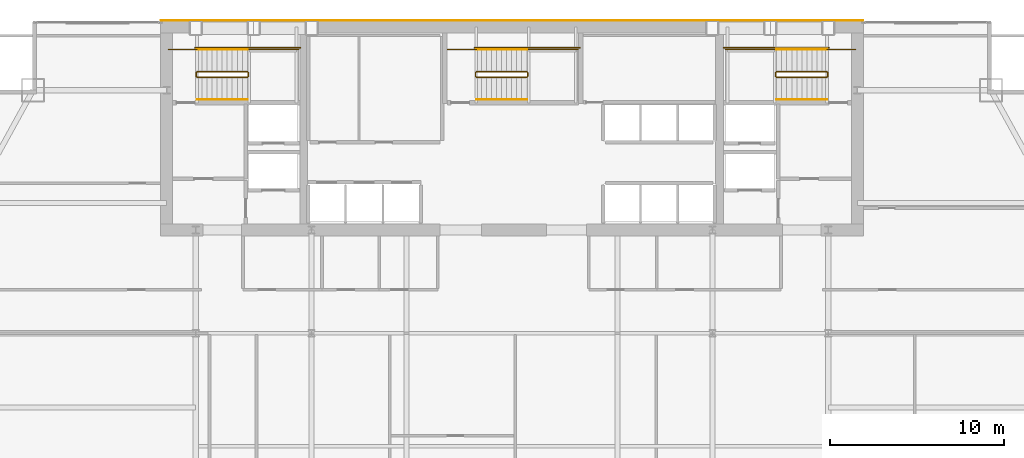
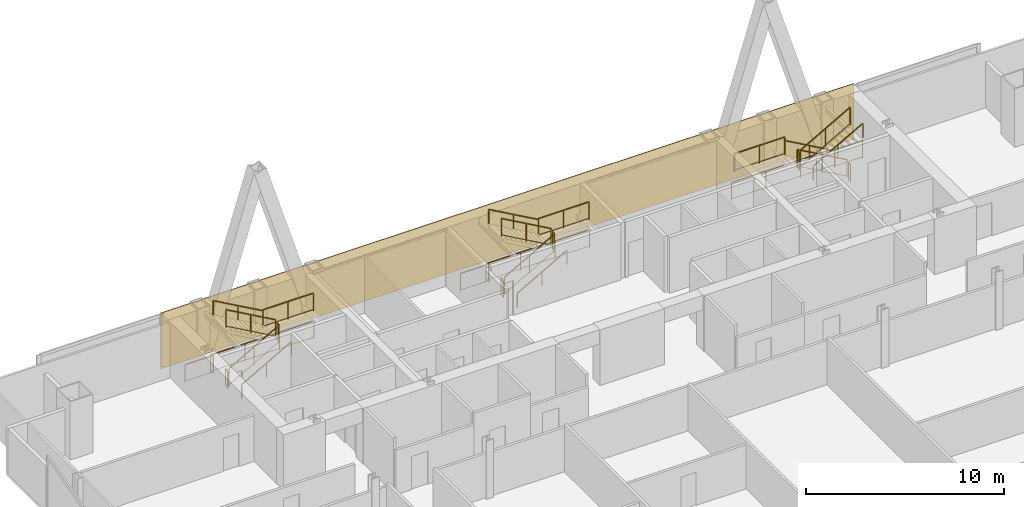
# One storey, part 30 of 30: 27 railings, 1 covering.
"""IFC4 building model written with IfcOpenShell, lengths in metres."""

from ifc_helpers import new_model, si_unit, direction, frame, origin, origin_2d, place, context, subcontext, project, spatial, polyline, rectangle, outline, extrude, material, layer, layer_set, type_object, element, save


model = new_model("IFC4")

# Units and contexts
model_context = context("Model", 3, precision=1e-05, world=origin(), true_north=direction((0.0, 1.0)))
body_context = subcontext(model_context, "Body", "Model", "MODEL_VIEW")
ifc_project = project(units=[si_unit("LENGTHUNIT", "METRE"), si_unit("AREAUNIT", "SQUARE_METRE"), si_unit("VOLUMEUNIT", "CUBIC_METRE"), si_unit("PLANEANGLEUNIT", "RADIAN"), si_unit("MASSUNIT", "GRAM", prefix="KILO")], contexts=[model_context])

# Site, building, storey
site_placement = place(None, origin())
site = spatial("IfcSite", under=ifc_project, at=site_placement, CompositionType="ELEMENT")
building_placement = place(site_placement, origin())
building = spatial("IfcBuilding", under=site, at=building_placement, Name="Khoronbel Lancet Exchange", CompositionType="ELEMENT")
storey_placement = place(building_placement, frame((0.0, 0.0, 147.0)))
storey = spatial("IfcBuildingStorey", under=building, at=storey_placement, Name="L36", CompositionType="ELEMENT", Elevation=147.0)

# Covering
ifc_material_1 = material(Name="Honed Egyptian Limestone & Bronze Rainscreen", Category="masonry")
ifc_layer = layer(ifc_material_1, 0.050048828125, Name="Honed Egyptian Limestone & Bronze Rainscreen")
ifc_layer_set = layer_set([ifc_layer], Name="Honed Egyptian Limestone & Bronze Rainscreen")
covering_type = type_object("IfcCoveringType", Name="COV-CLAD1", PredefinedType="CLADDING", material=ifc_layer_set)
covering_placement = place(storey_placement, origin())
element("IfcCovering", 1, at=covering_placement, inside=storey, type_object=covering_type, Name="Level L36 north rear-core stone and bronze rainscreen cladding", PredefinedType="CLADDING", context=body_context, shape_type="SweptSolid", body=[
    extrude(outline(polyline([(16.199951171875, 53.699951171875), (56.699951171875, 53.699951171875), (56.699951171875, 53.75), (16.199951171875, 53.75), (16.199951171875, 53.699951171875)])), origin(), (0.0, 0.0, 1.0), 3.43994140625),
])

# Railings
ifc_material_2 = material(Name="Painted Steel Balustrade", Category="steel")
railing_type_1 = type_object("IfcRailingType", Name="RL-STG110", PredefinedType="GUARDRAIL", material=ifc_material_2)
railing_1_placement = place(storey_placement, frame((18.300048828125, 50.449951171875, 0.16357421875)))
element("IfcRailing", 2, at=railing_1_placement, inside=storey, type_object=railing_type_1, Name="L36 ST1 stair guard 1", PredefinedType="GUARDRAIL", context=body_context, shape_type="SweptSolid", body=[
    extrude(rectangle(XDim=0.048095703125, YDim=0.048095703125, at=origin_2d()), frame((0.0, 0.0, 1.09619140625), z_axis=(0.870897200241, 0.0, 0.491465224214), x_axis=(0.0, 1.0, 0.0)), (0.0, 0.0, 1.0), 3.329833984375),
    extrude(rectangle(XDim=0.02392578125, YDim=0.02392578125, at=origin_2d()), frame((0.0, 0.0, 0.080078125), z_axis=(0.870897200241, 0.0, 0.491465224214), x_axis=(0.0, 1.0, 0.0)), (0.0, 0.0, 1.0), 3.329833984375),
    extrude(rectangle(XDim=0.0419921875, YDim=0.0419921875, at=origin_2d()), origin(), (0.0, 0.0, 1.0), 1.072021484375),
    extrude(rectangle(XDim=0.0419921875, YDim=0.0419921875, at=origin_2d()), frame((1.449951171875, 0.0, 0.818359375)), (0.0, 0.0, 1.0), 1.072021484375),
    extrude(rectangle(XDim=0.0419921875, YDim=0.0419921875, at=origin_2d()), frame((2.89990234375, 0.0, 1.636474609375)), (0.0, 0.0, 1.0), 1.072021484375),
])
railing_2_placement = place(storey_placement, frame((21.25, 50.5, 1.800048828125)))
element("IfcRailing", 3, at=railing_2_placement, inside=storey, type_object=railing_type_1, Name="L36 ST1 stair guard 2", PredefinedType="GUARDRAIL", context=body_context, shape_type="SweptSolid", body=[
    extrude(rectangle(XDim=0.048095703125, YDim=0.048095703125, at=origin_2d()), frame((0.0, 0.0, 1.09619140625), z_axis=(0.0, 1.0, 0.0), x_axis=(-1.0, 0.0, 0.0)), (0.0, 0.0, 1.0), 0.219970703125),
    extrude(rectangle(XDim=0.02392578125, YDim=0.02392578125, at=origin_2d()), frame((0.0, 0.0, 0.080078125), z_axis=(0.0, 1.0, 0.0), x_axis=(-1.0, 0.0, 0.0)), (0.0, 0.0, 1.0), 0.219970703125),
    extrude(rectangle(XDim=0.0419921875, YDim=0.0419921875, at=origin_2d()), origin(), (0.0, 0.0, 1.0), 1.072021484375),
    extrude(rectangle(XDim=0.0419921875, YDim=0.0419921875, at=origin_2d()), frame((0.0, 0.219970703125, 0.0)), (0.0, 0.0, 1.0), 1.072021484375),
])
railing_3_placement = place(storey_placement, frame((21.199951171875, 52.050048828125, 1.800048828125)))
element("IfcRailing", 4, at=railing_3_placement, inside=storey, type_object=railing_type_1, Name="L36 ST1 stair guard 3", PredefinedType="GUARDRAIL", context=body_context, shape_type="SweptSolid", body=[
    extrude(rectangle(XDim=0.048095703125, YDim=0.048095703125, at=origin_2d()), frame((0.0, 0.0, 1.09619140625), z_axis=(1.0, 0.0, 0.0), x_axis=(0.0, 1.0, 0.0)), (0.0, 0.0, 1.0), 2.949951171875),
    extrude(rectangle(XDim=0.02392578125, YDim=0.02392578125, at=origin_2d()), frame((0.0, 0.0, 0.080078125), z_axis=(1.0, 0.0, 0.0), x_axis=(0.0, 1.0, 0.0)), (0.0, 0.0, 1.0), 2.949951171875),
    extrude(rectangle(XDim=0.0419921875, YDim=0.0419921875, at=origin_2d()), origin(), (0.0, 0.0, 1.0), 1.072021484375),
    extrude(rectangle(XDim=0.0419921875, YDim=0.0419921875, at=origin_2d()), frame((1.47509765625, 0.0, 0.0)), (0.0, 0.0, 1.0), 1.072021484375),
    extrude(rectangle(XDim=0.0419921875, YDim=0.0419921875, at=origin_2d()), frame((2.949951171875, 0.0, 0.0)), (0.0, 0.0, 1.0), 1.072021484375),
])
railing_4_placement = place(storey_placement, frame((21.199951171875, 50.77001953125, 1.963623046875)))
element("IfcRailing", 5, at=railing_4_placement, inside=storey, type_object=railing_type_1, Name="L36 ST1 stair guard 4", PredefinedType="GUARDRAIL", context=body_context, shape_type="SweptSolid", body=[
    extrude(rectangle(XDim=0.048095703125, YDim=0.048095703125, at=origin_2d()), frame((0.0, 0.0, 1.09619140625), z_axis=(-0.870897200241, 0.0, 0.491465224214), x_axis=(0.0, -1.0, 0.0)), (0.0, 0.0, 1.0), 3.329833984375),
    extrude(rectangle(XDim=0.02392578125, YDim=0.02392578125, at=origin_2d()), frame((0.0, 0.0, 0.080078125), z_axis=(-0.870897200241, 0.0, 0.491465224214), x_axis=(0.0, -1.0, 0.0)), (0.0, 0.0, 1.0), 3.329833984375),
    extrude(rectangle(XDim=0.0419921875, YDim=0.0419921875, at=origin_2d()), origin(), (0.0, 0.0, 1.0), 1.072021484375),
    extrude(rectangle(XDim=0.0419921875, YDim=0.0419921875, at=origin_2d()), frame((-1.449951171875, 0.0, 0.818359375)), (0.0, 0.0, 1.0), 1.072021484375),
    extrude(rectangle(XDim=0.0419921875, YDim=0.0419921875, at=origin_2d()), frame((-2.89990234375, 0.0, 1.636474609375)), (0.0, 0.0, 1.0), 1.072021484375),
])
railing_5_placement = place(storey_placement, frame((18.25, 50.5, 0.0)))
element("IfcRailing", 6, at=railing_5_placement, inside=storey, type_object=railing_type_1, Name="L36 ST1 stair guard 5", PredefinedType="GUARDRAIL", context=body_context, shape_type="SweptSolid", body=[
    extrude(rectangle(XDim=0.048095703125, YDim=0.048095703125, at=origin_2d()), frame((0.0, 0.0, 1.09619140625), z_axis=(0.0, 1.0, 0.0), x_axis=(-1.0, 0.0, 0.0)), (0.0, 0.0, 1.0), 0.219970703125),
    extrude(rectangle(XDim=0.02392578125, YDim=0.02392578125, at=origin_2d()), frame((0.0, 0.0, 0.080078125), z_axis=(0.0, 1.0, 0.0), x_axis=(-1.0, 0.0, 0.0)), (0.0, 0.0, 1.0), 0.219970703125),
    extrude(rectangle(XDim=0.0419921875, YDim=0.0419921875, at=origin_2d()), origin(), (0.0, 0.0, 1.0), 1.072021484375),
    extrude(rectangle(XDim=0.0419921875, YDim=0.0419921875, at=origin_2d()), frame((0.0, 0.219970703125, 0.0)), (0.0, 0.0, 1.0), 1.072021484375),
])
railing_6_placement = place(storey_placement, frame((16.64990234375, 52.050048828125, 0.0)))
element("IfcRailing", 7, at=railing_6_placement, inside=storey, type_object=railing_type_1, Name="L36 ST1 stair guard 6", PredefinedType="GUARDRAIL", context=body_context, shape_type="SweptSolid", body=[
    extrude(rectangle(XDim=0.048095703125, YDim=0.048095703125, at=origin_2d()), frame((0.0, 0.0, 1.09619140625), z_axis=(1.0, 0.0, 0.0), x_axis=(0.0, 1.0, 0.0)), (0.0, 0.0, 1.0), 1.650146484375),
    extrude(rectangle(XDim=0.02392578125, YDim=0.02392578125, at=origin_2d()), frame((0.0, 0.0, 0.080078125), z_axis=(1.0, 0.0, 0.0), x_axis=(0.0, 1.0, 0.0)), (0.0, 0.0, 1.0), 1.650146484375),
    extrude(rectangle(XDim=0.0419921875, YDim=0.0419921875, at=origin_2d()), origin(), (0.0, 0.0, 1.0), 1.072021484375),
    extrude(rectangle(XDim=0.0419921875, YDim=0.0419921875, at=origin_2d()), frame((1.650146484375, 0.0, 0.0)), (0.0, 0.0, 1.0), 1.072021484375),
])
railing_7_placement = place(storey_placement, frame((18.199951171875, 52.14990234375, 0.0)))
element("IfcRailing", 8, at=railing_7_placement, inside=storey, type_object=railing_type_1, Name="L36 ST1 stair guard 7", PredefinedType="GUARDRAIL", context=body_context, shape_type="SweptSolid", body=[
    extrude(rectangle(XDim=0.048095703125, YDim=0.048095703125, at=origin_2d()), frame((0.0, 0.0, 1.09619140625), z_axis=(1.0, 0.0, 0.0), x_axis=(0.0, 1.0, 0.0)), (0.0, 0.0, 1.0), 6.050048828125),
    extrude(rectangle(XDim=0.02392578125, YDim=0.02392578125, at=origin_2d()), frame((0.0, 0.0, 0.080078125), z_axis=(1.0, 0.0, 0.0), x_axis=(0.0, 1.0, 0.0)), (0.0, 0.0, 1.0), 6.050048828125),
    extrude(rectangle(XDim=0.0419921875, YDim=0.0419921875, at=origin_2d()), origin(), (0.0, 0.0, 1.0), 1.072021484375),
    extrude(rectangle(XDim=0.0419921875, YDim=0.0419921875, at=origin_2d()), frame((2.0166015625, 0.0, 0.0)), (0.0, 0.0, 1.0), 1.072021484375),
    extrude(rectangle(XDim=0.0419921875, YDim=0.0419921875, at=origin_2d()), frame((4.033447265625, 0.0, 0.0)), (0.0, 0.0, 1.0), 1.072021484375),
    extrude(rectangle(XDim=0.0419921875, YDim=0.0419921875, at=origin_2d()), frame((6.050048828125, 0.0, 0.0)), (0.0, 0.0, 1.0), 1.072021484375),
])
railing_8_placement = place(storey_placement, frame((54.60009765625, 50.77001953125, 0.16357421875)))
element("IfcRailing", 9, at=railing_8_placement, inside=storey, type_object=railing_type_1, Name="L36 ST2 stair guard 1", PredefinedType="GUARDRAIL", context=body_context, shape_type="SweptSolid", body=[
    extrude(rectangle(XDim=0.048095703125, YDim=0.048095703125, at=origin_2d()), frame((0.0, 0.0, 1.09619140625), z_axis=(-0.870914908162, 0.0, 0.491433843708), x_axis=(0.0, -1.0, 0.0)), (0.0, 0.0, 1.0), 3.330078125),
    extrude(rectangle(XDim=0.02392578125, YDim=0.02392578125, at=origin_2d()), frame((0.0, 0.0, 0.080078125), z_axis=(-0.870914908162, 0.0, 0.491433843708), x_axis=(0.0, -1.0, 0.0)), (0.0, 0.0, 1.0), 3.330078125),
    extrude(rectangle(XDim=0.0419921875, YDim=0.0419921875, at=origin_2d()), origin(), (0.0, 0.0, 1.0), 1.072021484375),
    extrude(rectangle(XDim=0.0419921875, YDim=0.0419921875, at=origin_2d()), frame((-1.4501953125, 0.0, 0.818359375)), (0.0, 0.0, 1.0), 1.072021484375),
    extrude(rectangle(XDim=0.0419921875, YDim=0.0419921875, at=origin_2d()), frame((-2.900146484375, 0.0, 1.636474609375)), (0.0, 0.0, 1.0), 1.072021484375),
])
railing_9_placement = place(storey_placement, frame((51.64990234375, 50.719970703125, 1.800048828125)))
element("IfcRailing", 10, at=railing_9_placement, inside=storey, type_object=railing_type_1, Name="L36 ST2 stair guard 2", PredefinedType="GUARDRAIL", context=body_context, shape_type="SweptSolid", body=[
    extrude(rectangle(XDim=0.048095703125, YDim=0.048095703125, at=origin_2d()), frame((0.0, 0.0, 1.09619140625), z_axis=(0.0, -1.0, 0.0), x_axis=(1.0, 0.0, 0.0)), (0.0, 0.0, 1.0), 0.219970703125),
    extrude(rectangle(XDim=0.02392578125, YDim=0.02392578125, at=origin_2d()), frame((0.0, 0.0, 0.080078125), z_axis=(0.0, -1.0, 0.0), x_axis=(1.0, 0.0, 0.0)), (0.0, 0.0, 1.0), 0.219970703125),
    extrude(rectangle(XDim=0.0419921875, YDim=0.0419921875, at=origin_2d()), origin(), (0.0, 0.0, 1.0), 1.072021484375),
    extrude(rectangle(XDim=0.0419921875, YDim=0.0419921875, at=origin_2d()), frame((0.0, -0.219970703125, 0.0)), (0.0, 0.0, 1.0), 1.072021484375),
])
railing_10_placement = place(storey_placement, frame((51.699951171875, 52.050048828125, 1.800048828125)))
element("IfcRailing", 11, at=railing_10_placement, inside=storey, type_object=railing_type_1, Name="L36 ST2 stair guard 3", PredefinedType="GUARDRAIL", context=body_context, shape_type="SweptSolid", body=[
    extrude(rectangle(XDim=0.048095703125, YDim=0.048095703125, at=origin_2d()), frame((0.0, 0.0, 1.09619140625), z_axis=(-1.0, 0.0, 0.0), x_axis=(0.0, -1.0, 0.0)), (0.0, 0.0, 1.0), 2.949951171875),
    extrude(rectangle(XDim=0.02392578125, YDim=0.02392578125, at=origin_2d()), frame((0.0, 0.0, 0.080078125), z_axis=(-1.0, 0.0, 0.0), x_axis=(0.0, -1.0, 0.0)), (0.0, 0.0, 1.0), 2.949951171875),
    extrude(rectangle(XDim=0.0419921875, YDim=0.0419921875, at=origin_2d()), origin(), (0.0, 0.0, 1.0), 1.072021484375),
    extrude(rectangle(XDim=0.0419921875, YDim=0.0419921875, at=origin_2d()), frame((-1.47509765625, 0.0, 0.0)), (0.0, 0.0, 1.0), 1.072021484375),
    extrude(rectangle(XDim=0.0419921875, YDim=0.0419921875, at=origin_2d()), frame((-2.949951171875, 0.0, 0.0)), (0.0, 0.0, 1.0), 1.072021484375),
])
railing_11_placement = place(storey_placement, frame((51.699951171875, 50.449951171875, 1.963623046875)))
element("IfcRailing", 12, at=railing_11_placement, inside=storey, type_object=railing_type_1, Name="L36 ST2 stair guard 4", PredefinedType="GUARDRAIL", context=body_context, shape_type="SweptSolid", body=[
    extrude(rectangle(XDim=0.048095703125, YDim=0.048095703125, at=origin_2d()), frame((0.0, 0.0, 1.09619140625), z_axis=(0.870914908162, 0.0, 0.491433843708), x_axis=(0.0, 1.0, 0.0)), (0.0, 0.0, 1.0), 3.330078125),
    extrude(rectangle(XDim=0.02392578125, YDim=0.02392578125, at=origin_2d()), frame((0.0, 0.0, 0.080078125), z_axis=(0.870914908162, 0.0, 0.491433843708), x_axis=(0.0, 1.0, 0.0)), (0.0, 0.0, 1.0), 3.330078125),
    extrude(rectangle(XDim=0.0419921875, YDim=0.0419921875, at=origin_2d()), origin(), (0.0, 0.0, 1.0), 1.072021484375),
    extrude(rectangle(XDim=0.0419921875, YDim=0.0419921875, at=origin_2d()), frame((1.4501953125, 0.0, 0.818359375)), (0.0, 0.0, 1.0), 1.072021484375),
    extrude(rectangle(XDim=0.0419921875, YDim=0.0419921875, at=origin_2d()), frame((2.900146484375, 0.0, 1.636474609375)), (0.0, 0.0, 1.0), 1.072021484375),
])
railing_12_placement = place(storey_placement, frame((54.64990234375, 50.719970703125, 0.0)))
element("IfcRailing", 13, at=railing_12_placement, inside=storey, type_object=railing_type_1, Name="L36 ST2 stair guard 5", PredefinedType="GUARDRAIL", context=body_context, shape_type="SweptSolid", body=[
    extrude(rectangle(XDim=0.048095703125, YDim=0.048095703125, at=origin_2d()), frame((0.0, 0.0, 1.09619140625), z_axis=(0.0, -1.0, 0.0), x_axis=(1.0, 0.0, 0.0)), (0.0, 0.0, 1.0), 0.219970703125),
    extrude(rectangle(XDim=0.02392578125, YDim=0.02392578125, at=origin_2d()), frame((0.0, 0.0, 0.080078125), z_axis=(0.0, -1.0, 0.0), x_axis=(1.0, 0.0, 0.0)), (0.0, 0.0, 1.0), 0.219970703125),
    extrude(rectangle(XDim=0.0419921875, YDim=0.0419921875, at=origin_2d()), origin(), (0.0, 0.0, 1.0), 1.072021484375),
    extrude(rectangle(XDim=0.0419921875, YDim=0.0419921875, at=origin_2d()), frame((0.0, -0.219970703125, 0.0)), (0.0, 0.0, 1.0), 1.072021484375),
])
railing_13_placement = place(storey_placement, frame((56.25, 52.050048828125, 0.0)))
element("IfcRailing", 14, at=railing_13_placement, inside=storey, type_object=railing_type_1, Name="L36 ST2 stair guard 6", PredefinedType="GUARDRAIL", context=body_context, shape_type="SweptSolid", body=[
    extrude(rectangle(XDim=0.048095703125, YDim=0.048095703125, at=origin_2d()), frame((0.0, 0.0, 1.09619140625), z_axis=(-1.0, 0.0, 0.0), x_axis=(0.0, -1.0, 0.0)), (0.0, 0.0, 1.0), 1.64990234375),
    extrude(rectangle(XDim=0.02392578125, YDim=0.02392578125, at=origin_2d()), frame((0.0, 0.0, 0.080078125), z_axis=(-1.0, 0.0, 0.0), x_axis=(0.0, -1.0, 0.0)), (0.0, 0.0, 1.0), 1.64990234375),
    extrude(rectangle(XDim=0.0419921875, YDim=0.0419921875, at=origin_2d()), origin(), (0.0, 0.0, 1.0), 1.072021484375),
    extrude(rectangle(XDim=0.0419921875, YDim=0.0419921875, at=origin_2d()), frame((-1.64990234375, 0.0, 0.0)), (0.0, 0.0, 1.0), 1.072021484375),
])
railing_14_placement = place(storey_placement, frame((54.699951171875, 52.14990234375, 0.0)))
element("IfcRailing", 15, at=railing_14_placement, inside=storey, type_object=railing_type_1, Name="L36 ST2 stair guard 7", PredefinedType="GUARDRAIL", context=body_context, shape_type="SweptSolid", body=[
    extrude(rectangle(XDim=0.048095703125, YDim=0.048095703125, at=origin_2d()), frame((0.0, 0.0, 1.09619140625), z_axis=(-1.0, 0.0, 0.0), x_axis=(0.0, -1.0, 0.0)), (0.0, 0.0, 1.0), 6.050048828125),
    extrude(rectangle(XDim=0.02392578125, YDim=0.02392578125, at=origin_2d()), frame((0.0, 0.0, 0.080078125), z_axis=(-1.0, 0.0, 0.0), x_axis=(0.0, -1.0, 0.0)), (0.0, 0.0, 1.0), 6.050048828125),
    extrude(rectangle(XDim=0.0419921875, YDim=0.0419921875, at=origin_2d()), origin(), (0.0, 0.0, 1.0), 1.072021484375),
    extrude(rectangle(XDim=0.0419921875, YDim=0.0419921875, at=origin_2d()), frame((-2.0166015625, 0.0, 0.0)), (0.0, 0.0, 1.0), 1.072021484375),
    extrude(rectangle(XDim=0.0419921875, YDim=0.0419921875, at=origin_2d()), frame((-4.033447265625, 0.0, 0.0)), (0.0, 0.0, 1.0), 1.072021484375),
    extrude(rectangle(XDim=0.0419921875, YDim=0.0419921875, at=origin_2d()), frame((-6.050048828125, 0.0, 0.0)), (0.0, 0.0, 1.0), 1.072021484375),
])
railing_15_placement = place(storey_placement, frame((34.39990234375, 50.449951171875, 0.16357421875)))
element("IfcRailing", 16, at=railing_15_placement, inside=storey, type_object=railing_type_1, Name="L36 ST3 stair guard 1", PredefinedType="GUARDRAIL", context=body_context, shape_type="SweptSolid", body=[
    extrude(rectangle(XDim=0.048095703125, YDim=0.048095703125, at=origin_2d()), frame((0.0, 0.0, 1.09619140625), z_axis=(0.870914908162, 0.0, 0.491433843708), x_axis=(0.0, 1.0, 0.0)), (0.0, 0.0, 1.0), 3.330078125),
    extrude(rectangle(XDim=0.02392578125, YDim=0.02392578125, at=origin_2d()), frame((0.0, 0.0, 0.080078125), z_axis=(0.870914908162, 0.0, 0.491433843708), x_axis=(0.0, 1.0, 0.0)), (0.0, 0.0, 1.0), 3.330078125),
    extrude(rectangle(XDim=0.0419921875, YDim=0.0419921875, at=origin_2d()), origin(), (0.0, 0.0, 1.0), 1.072021484375),
    extrude(rectangle(XDim=0.0419921875, YDim=0.0419921875, at=origin_2d()), frame((1.4501953125, 0.0, 0.818359375)), (0.0, 0.0, 1.0), 1.072021484375),
    extrude(rectangle(XDim=0.0419921875, YDim=0.0419921875, at=origin_2d()), frame((2.900146484375, 0.0, 1.636474609375)), (0.0, 0.0, 1.0), 1.072021484375),
])
railing_16_placement = place(storey_placement, frame((37.35009765625, 50.5, 1.800048828125)))
element("IfcRailing", 17, at=railing_16_placement, inside=storey, type_object=railing_type_1, Name="L36 ST3 stair guard 2", PredefinedType="GUARDRAIL", context=body_context, shape_type="SweptSolid", body=[
    extrude(rectangle(XDim=0.048095703125, YDim=0.048095703125, at=origin_2d()), frame((0.0, 0.0, 1.09619140625), z_axis=(0.0, 1.0, 0.0), x_axis=(-1.0, 0.0, 0.0)), (0.0, 0.0, 1.0), 0.219970703125),
    extrude(rectangle(XDim=0.02392578125, YDim=0.02392578125, at=origin_2d()), frame((0.0, 0.0, 0.080078125), z_axis=(0.0, 1.0, 0.0), x_axis=(-1.0, 0.0, 0.0)), (0.0, 0.0, 1.0), 0.219970703125),
    extrude(rectangle(XDim=0.0419921875, YDim=0.0419921875, at=origin_2d()), origin(), (0.0, 0.0, 1.0), 1.072021484375),
    extrude(rectangle(XDim=0.0419921875, YDim=0.0419921875, at=origin_2d()), frame((0.0, 0.219970703125, 0.0)), (0.0, 0.0, 1.0), 1.072021484375),
])
railing_17_placement = place(storey_placement, frame((37.300048828125, 52.050048828125, 1.800048828125)))
element("IfcRailing", 18, at=railing_17_placement, inside=storey, type_object=railing_type_1, Name="L36 ST3 stair guard 3", PredefinedType="GUARDRAIL", context=body_context, shape_type="SweptSolid", body=[
    extrude(rectangle(XDim=0.048095703125, YDim=0.048095703125, at=origin_2d()), frame((0.0, 0.0, 1.09619140625), z_axis=(1.0, 0.0, 0.0), x_axis=(0.0, 1.0, 0.0)), (0.0, 0.0, 1.0), 2.949951171875),
    extrude(rectangle(XDim=0.02392578125, YDim=0.02392578125, at=origin_2d()), frame((0.0, 0.0, 0.080078125), z_axis=(1.0, 0.0, 0.0), x_axis=(0.0, 1.0, 0.0)), (0.0, 0.0, 1.0), 2.949951171875),
    extrude(rectangle(XDim=0.0419921875, YDim=0.0419921875, at=origin_2d()), origin(), (0.0, 0.0, 1.0), 1.072021484375),
    extrude(rectangle(XDim=0.0419921875, YDim=0.0419921875, at=origin_2d()), frame((1.47509765625, 0.0, 0.0)), (0.0, 0.0, 1.0), 1.072021484375),
    extrude(rectangle(XDim=0.0419921875, YDim=0.0419921875, at=origin_2d()), frame((2.949951171875, 0.0, 0.0)), (0.0, 0.0, 1.0), 1.072021484375),
])
railing_18_placement = place(storey_placement, frame((37.300048828125, 50.77001953125, 1.963623046875)))
element("IfcRailing", 19, at=railing_18_placement, inside=storey, type_object=railing_type_1, Name="L36 ST3 stair guard 4", PredefinedType="GUARDRAIL", context=body_context, shape_type="SweptSolid", body=[
    extrude(rectangle(XDim=0.048095703125, YDim=0.048095703125, at=origin_2d()), frame((0.0, 0.0, 1.09619140625), z_axis=(-0.870914908162, 0.0, 0.491433843708), x_axis=(0.0, -1.0, 0.0)), (0.0, 0.0, 1.0), 3.330078125),
    extrude(rectangle(XDim=0.02392578125, YDim=0.02392578125, at=origin_2d()), frame((0.0, 0.0, 0.080078125), z_axis=(-0.870914908162, 0.0, 0.491433843708), x_axis=(0.0, -1.0, 0.0)), (0.0, 0.0, 1.0), 3.330078125),
    extrude(rectangle(XDim=0.0419921875, YDim=0.0419921875, at=origin_2d()), origin(), (0.0, 0.0, 1.0), 1.072021484375),
    extrude(rectangle(XDim=0.0419921875, YDim=0.0419921875, at=origin_2d()), frame((-1.4501953125, 0.0, 0.818359375)), (0.0, 0.0, 1.0), 1.072021484375),
    extrude(rectangle(XDim=0.0419921875, YDim=0.0419921875, at=origin_2d()), frame((-2.900146484375, 0.0, 1.636474609375)), (0.0, 0.0, 1.0), 1.072021484375),
])
railing_19_placement = place(storey_placement, frame((34.35009765625, 50.5, 0.0)))
element("IfcRailing", 20, at=railing_19_placement, inside=storey, type_object=railing_type_1, Name="L36 ST3 stair guard 5", PredefinedType="GUARDRAIL", context=body_context, shape_type="SweptSolid", body=[
    extrude(rectangle(XDim=0.048095703125, YDim=0.048095703125, at=origin_2d()), frame((0.0, 0.0, 1.09619140625), z_axis=(0.0, 1.0, 0.0), x_axis=(-1.0, 0.0, 0.0)), (0.0, 0.0, 1.0), 0.219970703125),
    extrude(rectangle(XDim=0.02392578125, YDim=0.02392578125, at=origin_2d()), frame((0.0, 0.0, 0.080078125), z_axis=(0.0, 1.0, 0.0), x_axis=(-1.0, 0.0, 0.0)), (0.0, 0.0, 1.0), 0.219970703125),
    extrude(rectangle(XDim=0.0419921875, YDim=0.0419921875, at=origin_2d()), origin(), (0.0, 0.0, 1.0), 1.072021484375),
    extrude(rectangle(XDim=0.0419921875, YDim=0.0419921875, at=origin_2d()), frame((0.0, 0.219970703125, 0.0)), (0.0, 0.0, 1.0), 1.072021484375),
])
railing_20_placement = place(storey_placement, frame((32.75, 52.050048828125, 0.0)))
element("IfcRailing", 21, at=railing_20_placement, inside=storey, type_object=railing_type_1, Name="L36 ST3 stair guard 6", PredefinedType="GUARDRAIL", context=body_context, shape_type="SweptSolid", body=[
    extrude(rectangle(XDim=0.048095703125, YDim=0.048095703125, at=origin_2d()), frame((0.0, 0.0, 1.09619140625), z_axis=(1.0, 0.0, 0.0), x_axis=(0.0, 1.0, 0.0)), (0.0, 0.0, 1.0), 1.64990234375),
    extrude(rectangle(XDim=0.02392578125, YDim=0.02392578125, at=origin_2d()), frame((0.0, 0.0, 0.080078125), z_axis=(1.0, 0.0, 0.0), x_axis=(0.0, 1.0, 0.0)), (0.0, 0.0, 1.0), 1.64990234375),
    extrude(rectangle(XDim=0.0419921875, YDim=0.0419921875, at=origin_2d()), origin(), (0.0, 0.0, 1.0), 1.072021484375),
    extrude(rectangle(XDim=0.0419921875, YDim=0.0419921875, at=origin_2d()), frame((1.64990234375, 0.0, 0.0)), (0.0, 0.0, 1.0), 1.072021484375),
])
railing_21_placement = place(storey_placement, frame((34.300048828125, 52.14990234375, 0.0)))
element("IfcRailing", 22, at=railing_21_placement, inside=storey, type_object=railing_type_1, Name="L36 ST3 stair guard 7", PredefinedType="GUARDRAIL", context=body_context, shape_type="SweptSolid", body=[
    extrude(rectangle(XDim=0.048095703125, YDim=0.048095703125, at=origin_2d()), frame((0.0, 0.0, 1.09619140625), z_axis=(1.0, 0.0, 0.0), x_axis=(0.0, 1.0, 0.0)), (0.0, 0.0, 1.0), 6.050048828125),
    extrude(rectangle(XDim=0.02392578125, YDim=0.02392578125, at=origin_2d()), frame((0.0, 0.0, 0.080078125), z_axis=(1.0, 0.0, 0.0), x_axis=(0.0, 1.0, 0.0)), (0.0, 0.0, 1.0), 6.050048828125),
    extrude(rectangle(XDim=0.0419921875, YDim=0.0419921875, at=origin_2d()), origin(), (0.0, 0.0, 1.0), 1.072021484375),
    extrude(rectangle(XDim=0.0419921875, YDim=0.0419921875, at=origin_2d()), frame((2.0166015625, 0.0, 0.0)), (0.0, 0.0, 1.0), 1.072021484375),
    extrude(rectangle(XDim=0.0419921875, YDim=0.0419921875, at=origin_2d()), frame((4.033447265625, 0.0, 0.0)), (0.0, 0.0, 1.0), 1.072021484375),
    extrude(rectangle(XDim=0.0419921875, YDim=0.0419921875, at=origin_2d()), frame((6.050048828125, 0.0, 0.0)), (0.0, 0.0, 1.0), 1.072021484375),
])
ifc_material_3 = material(Name="Brushed Stainless Steel 316", Category="steel")
railing_type_2 = type_object("IfcRailingType", Name="RL-STH92", PredefinedType="HANDRAIL", material=ifc_material_3)
railing_22_placement = place(storey_placement, frame((18.300048828125, 49.169921875, 0.16357421875)))
element("IfcRailing", 23, at=railing_22_placement, inside=storey, type_object=railing_type_2, Name="L36 ST1 stair handrail 1", PredefinedType="HANDRAIL", context=body_context, shape_type="SweptSolid", body=[
    extrude(rectangle(XDim=0.048095703125, YDim=0.048095703125, at=origin_2d()), frame((0.0, 0.0, 0.8759765625), z_axis=(0.870897200241, 0.0, 0.491465224214), x_axis=(0.0, 1.0, 0.0)), (0.0, 0.0, 1.0), 3.329833984375),
    extrude(rectangle(XDim=0.0419921875, YDim=0.0419921875, at=origin_2d()), origin(), (0.0, 0.0, 1.0), 0.851806640625),
    extrude(rectangle(XDim=0.0419921875, YDim=0.0419921875, at=origin_2d()), frame((1.449951171875, 0.0, 0.818359375)), (0.0, 0.0, 1.0), 0.851806640625),
    extrude(rectangle(XDim=0.0419921875, YDim=0.0419921875, at=origin_2d()), frame((2.89990234375, 0.0, 1.636474609375)), (0.0, 0.0, 1.0), 0.851806640625),
])
railing_23_placement = place(storey_placement, frame((21.199951171875, 52.050048828125, 1.963623046875)))
element("IfcRailing", 24, at=railing_23_placement, inside=storey, type_object=railing_type_2, Name="L36 ST1 stair handrail 2", PredefinedType="HANDRAIL", context=body_context, shape_type="SweptSolid", body=[
    extrude(rectangle(XDim=0.048095703125, YDim=0.048095703125, at=origin_2d()), frame((0.0, 0.0, 0.8759765625), z_axis=(-0.870897200241, 0.0, 0.491465224214), x_axis=(0.0, -1.0, 0.0)), (0.0, 0.0, 1.0), 3.329833984375),
    extrude(rectangle(XDim=0.0419921875, YDim=0.0419921875, at=origin_2d()), origin(), (0.0, 0.0, 1.0), 0.851806640625),
    extrude(rectangle(XDim=0.0419921875, YDim=0.0419921875, at=origin_2d()), frame((-1.449951171875, 0.0, 0.818359375)), (0.0, 0.0, 1.0), 0.851806640625),
    extrude(rectangle(XDim=0.0419921875, YDim=0.0419921875, at=origin_2d()), frame((-2.89990234375, 0.0, 1.636474609375)), (0.0, 0.0, 1.0), 0.851806640625),
])
railing_24_placement = place(storey_placement, frame((54.60009765625, 52.050048828125, 0.16357421875)))
element("IfcRailing", 25, at=railing_24_placement, inside=storey, type_object=railing_type_2, Name="L36 ST2 stair handrail 1", PredefinedType="HANDRAIL", context=body_context, shape_type="SweptSolid", body=[
    extrude(rectangle(XDim=0.048095703125, YDim=0.048095703125, at=origin_2d()), frame((0.0, 0.0, 0.8759765625), z_axis=(-0.870914908162, 0.0, 0.491433843708), x_axis=(0.0, -1.0, 0.0)), (0.0, 0.0, 1.0), 3.330078125),
    extrude(rectangle(XDim=0.0419921875, YDim=0.0419921875, at=origin_2d()), origin(), (0.0, 0.0, 1.0), 0.851806640625),
    extrude(rectangle(XDim=0.0419921875, YDim=0.0419921875, at=origin_2d()), frame((-1.4501953125, 0.0, 0.818359375)), (0.0, 0.0, 1.0), 0.851806640625),
    extrude(rectangle(XDim=0.0419921875, YDim=0.0419921875, at=origin_2d()), frame((-2.900146484375, 0.0, 1.636474609375)), (0.0, 0.0, 1.0), 0.851806640625),
])
for number, where, name in (
    (26, (51.699951171875, 49.169921875, 1.963623046875), "L36 ST2 stair handrail 2"),
    (27, (34.39990234375, 49.169921875, 0.16357421875), "L36 ST3 stair handrail 1"),
):
    element("IfcRailing", number, at=place(storey_placement, frame(where)), inside=storey, type_object=railing_type_2, Name=name, PredefinedType="HANDRAIL", context=body_context, shape_type="SweptSolid", body=[
        extrude(rectangle(XDim=0.048095703125, YDim=0.048095703125, at=origin_2d()), frame((0.0, 0.0, 0.8759765625), z_axis=(0.870914908162, 0.0, 0.491433843708), x_axis=(0.0, 1.0, 0.0)), (0.0, 0.0, 1.0), 3.330078125),
        extrude(rectangle(XDim=0.0419921875, YDim=0.0419921875, at=origin_2d()), origin(), (0.0, 0.0, 1.0), 0.851806640625),
        extrude(rectangle(XDim=0.0419921875, YDim=0.0419921875, at=origin_2d()), frame((1.4501953125, 0.0, 0.818359375)), (0.0, 0.0, 1.0), 0.851806640625),
        extrude(rectangle(XDim=0.0419921875, YDim=0.0419921875, at=origin_2d()), frame((2.900146484375, 0.0, 1.636474609375)), (0.0, 0.0, 1.0), 0.851806640625),
    ])
railing_25_placement = place(storey_placement, frame((37.300048828125, 52.050048828125, 1.963623046875)))
element("IfcRailing", 28, at=railing_25_placement, inside=storey, type_object=railing_type_2, Name="L36 ST3 stair handrail 2", PredefinedType="HANDRAIL", context=body_context, shape_type="SweptSolid", body=[
    extrude(rectangle(XDim=0.048095703125, YDim=0.048095703125, at=origin_2d()), frame((0.0, 0.0, 0.8759765625), z_axis=(-0.870914908162, 0.0, 0.491433843708), x_axis=(0.0, -1.0, 0.0)), (0.0, 0.0, 1.0), 3.330078125),
    extrude(rectangle(XDim=0.0419921875, YDim=0.0419921875, at=origin_2d()), origin(), (0.0, 0.0, 1.0), 0.851806640625),
    extrude(rectangle(XDim=0.0419921875, YDim=0.0419921875, at=origin_2d()), frame((-1.4501953125, 0.0, 0.818359375)), (0.0, 0.0, 1.0), 0.851806640625),
    extrude(rectangle(XDim=0.0419921875, YDim=0.0419921875, at=origin_2d()), frame((-2.900146484375, 0.0, 1.636474609375)), (0.0, 0.0, 1.0), 0.851806640625),
])

save(model, "model.ifc")
